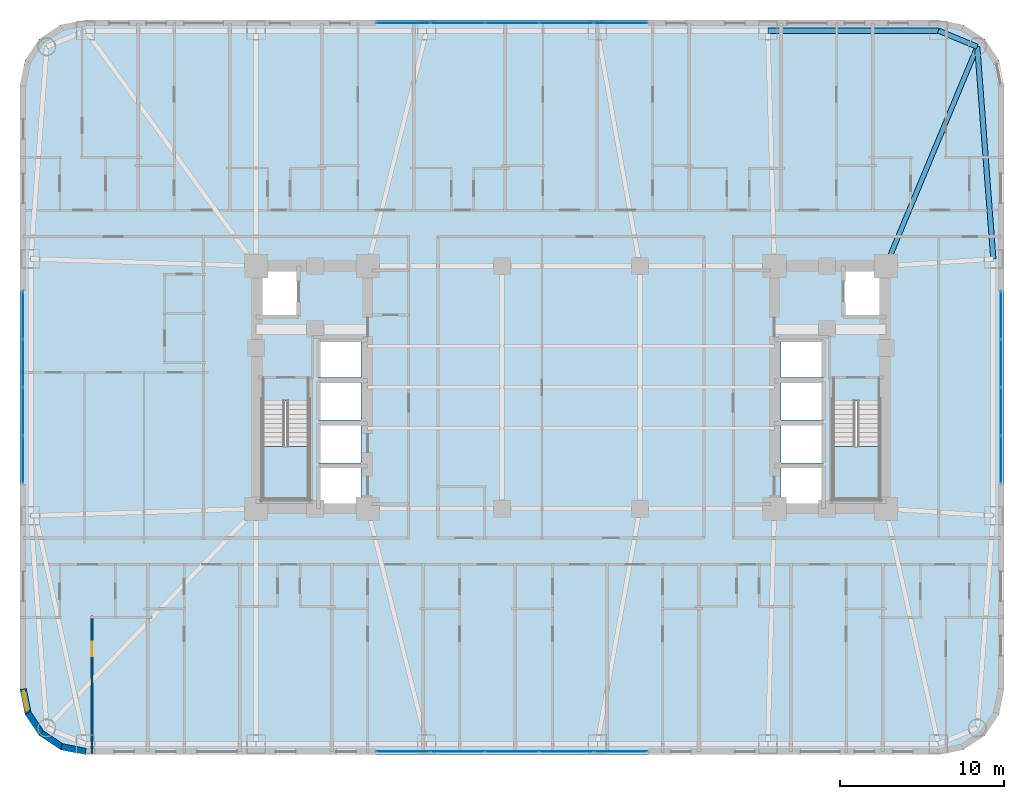
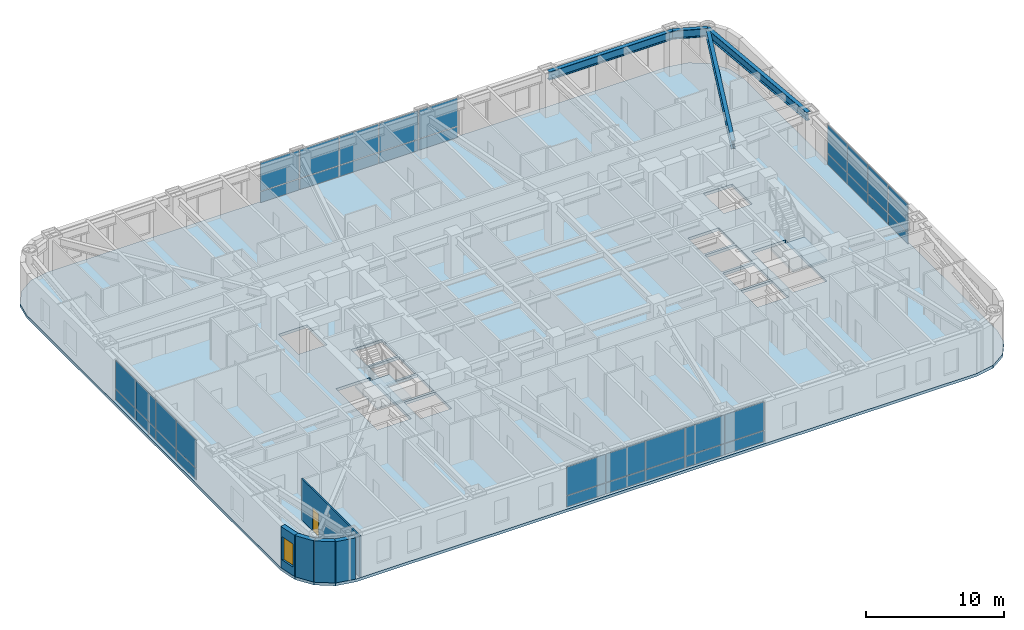
# One storey, part 19 of 28: 36 plates, 5 walls, 4 beams, 3 slabs, 1 door, 1 window, 2 openings, 6 elements without a shape of their own.
"""IFC4 building model written with IfcOpenShell, lengths in metres."""

from ifc_helpers import new_model, si_unit, direction, frame, frame_2d, origin, origin_2d, place, context, subcontext, project, spatial, polyline, rectangle, i_section, outline, extrude, material, layer, layer_set, material_profile, profile_set, type_object, element, fill, aggregate, save


model = new_model("IFC4")

# Units and contexts
model_context = context("Model", 3, precision=1e-05, world=origin(), true_north=direction((0.0, 1.0)))
body_context = subcontext(model_context, "Body", "Model", "MODEL_VIEW")
ifc_project = project(units=[si_unit("LENGTHUNIT", "METRE"), si_unit("AREAUNIT", "SQUARE_METRE"), si_unit("VOLUMEUNIT", "CUBIC_METRE"), si_unit("PLANEANGLEUNIT", "RADIAN"), si_unit("MASSUNIT", "GRAM", prefix="KILO")], contexts=[model_context])

# Site, building, storey
site_placement = place(None, origin())
site = spatial("IfcSite", under=ifc_project, at=site_placement, CompositionType="ELEMENT")
building_placement = place(site_placement, origin())
building = spatial("IfcBuilding", under=site, at=building_placement, Name="Voryun Gate Residences", CompositionType="ELEMENT")
storey_placement = place(building_placement, frame((0.0, 0.0, 61.10009765625)))
storey = spatial("IfcBuildingStorey", under=building, at=storey_placement, Name="L14", CompositionType="ELEMENT", Elevation=61.10009765625)

# Beams
ifc_material_1 = material(Name="Steel SM355", Category="steel")
ifc_material_profile_1 = material_profile(ifc_material_1, i_section(OverallWidth=0.320068359375, OverallDepth=0.75, WebThickness=0.01611328125, FlangeThickness=0.028076171875, FilletRadius=0.01806640625, at=origin_2d()), Name="H-750x320x16x28")
ifc_profile_set_1 = profile_set([ifc_material_profile_1], Name="Steel SM355")
beam_type_1 = type_object("IfcBeamType", Name="BM_EXO_SPANDREL_L", PredefinedType="SPANDREL", material=ifc_profile_set_1)
beam_1_placement = place(storey_placement, frame((25.75, 7.830078125, 3.27490234375), z_axis=(-0.075617360159, 0.997136908776, 0.0), x_axis=(-0.997136908776, -0.075617360159, 0.0)))
element("IfcBeam", 1, at=beam_1_placement, inside=storey, type_object=beam_type_1, Name="BM-L14-SPAND-09", PredefinedType="SPANDREL", context=body_context, shape_type="SweptSolid", body=[
    extrude(i_section(OverallWidth=0.320068359375, OverallDepth=0.75, WebThickness=0.01611328125, FlangeThickness=0.028076171875, FilletRadius=0.01806640625, at=origin_2d()), origin(), (0.0, 0.0, 1.0), 12.975830078125),
])
beam_2_placement = place(storey_placement, frame((24.768798828125, 20.768798828125, 3.27490234375), z_axis=(-0.923883376753, 0.382674151414, 0.0), x_axis=(-0.382674151414, -0.923883376753, 0.0)))
element("IfcBeam", 2, at=beam_2_placement, inside=storey, type_object=beam_type_1, Name="BM-L14-SPAND-10", PredefinedType="SPANDREL", context=body_context, shape_type="SweptSolid", body=[
    extrude(i_section(OverallWidth=0.320068359375, OverallDepth=0.75, WebThickness=0.01611328125, FlangeThickness=0.028076171875, FilletRadius=0.01806640625, at=origin_2d()), origin(), (0.0, 0.0, 1.0), 2.56396484375),
])
beam_3_placement = place(storey_placement, frame((22.39990234375, 21.75, 3.27490234375), z_axis=(-1.0, 0.0, 0.0), x_axis=(0.0, -1.0, 0.0)))
element("IfcBeam", 3, at=beam_3_placement, inside=storey, type_object=beam_type_1, Name="BM-L14-SPAND-11", PredefinedType="SPANDREL", context=body_context, shape_type="SweptSolid", body=[
    extrude(i_section(OverallWidth=0.320068359375, OverallDepth=0.75, WebThickness=0.01611328125, FlangeThickness=0.028076171875, FilletRadius=0.01806640625, at=origin_2d()), origin(), (0.0, 0.0, 1.0), 10.39990234375),
])
ifc_material_2 = material(Name="Steel SM355", Category="steel")
ifc_material_profile_2 = material_profile(ifc_material_2, i_section(OverallWidth=0.300048828125, OverallDepth=0.699951171875, WebThickness=0.012939453125, FlangeThickness=0.02392578125, FilletRadius=0.01806640625, at=origin_2d()), Name="H-700x300x13x24")
ifc_profile_set_2 = profile_set([ifc_material_profile_2], Name="Steel SM355")
beam_type_2 = type_object("IfcBeamType", Name="BM_GIRD_700", PredefinedType="USERDEFINED", material=ifc_profile_set_2)
beam_4_placement = place(storey_placement, frame((19.199951171875, 7.39990234375, 3.2998046875), z_axis=(0.384525607719, 0.923114324993, 0.0), x_axis=(-0.923114324993, 0.384525607719, 0.0)))
element("IfcBeam", 4, at=beam_4_placement, inside=storey, type_object=beam_type_2, Name="BM-L14-RAD-CNE", ObjectType="GIRDER", PredefinedType="USERDEFINED", context=body_context, shape_type="SweptSolid", body=[
    extrude(i_section(OverallWidth=0.300048828125, OverallDepth=0.699951171875, WebThickness=0.012939453125, FlangeThickness=0.02392578125, FilletRadius=0.01806640625, at=origin_2d()), origin(), (0.0, 0.0, 1.0), 14.482421875),
])

# Curtain wall, plates
ifc_material_3 = material(Name="Anodised aluminium", Category="aluminium")
ifc_layer_1 = layer(ifc_material_3, 0.179931640625, Name="CW_SYS_RES_A_DARK_GLASS")
ifc_layer_set_1 = layer_set([ifc_layer_1], Name="Anodised aluminium")
curtain_wall_type = type_object("IfcCurtainWallType", Name="CW_SYS_RES_A_DARK_GLASS", PredefinedType="NOTDEFINED", material=ifc_layer_set_1)
curtain_wall_1_placement = place(storey_placement, origin())
curtain_wall_1 = element("IfcCurtainWall", 5, at=curtain_wall_1_placement, inside=storey, type_object=curtain_wall_type, Name="Curtain wall CWT-L14-01", PredefinedType="NOTDEFINED")
ifc_material_4 = material(Name="Laminated low-E glass", Category="glass")
ifc_layer_2 = layer(ifc_material_4, 0.0439453125, Name="PLT_GLASS_DARK_RES")
ifc_layer_set_2 = layer_set([ifc_layer_2], Name="Laminated low-E glass")
plate_type = type_object("IfcPlateType", Name="PLT_GLASS_DARK_RES", PredefinedType="CURTAIN_PANEL", material=ifc_layer_set_2)
plate_1_placement = place(storey_placement, frame((3.0361328125, -22.2099609375, 0.059814453125), z_axis=(0.0, 0.0, 1.0), x_axis=(-1.0, 0.0, 0.0)))
plate_1 = element("IfcPlate", 6, at=plate_1_placement, type_object=plate_type, Name="CW3 panel 1.1", PredefinedType="CURTAIN_PANEL", context=body_context, shape_type="SweptSolid", body=[
    extrude(rectangle(XDim=3.235595703125, YDim=0.028076171875, at=origin_2d()), origin(), (0.0, 0.0, 1.0), 0.9599609375),
])
plate_2_placement = place(storey_placement, frame((3.0361328125, -22.2099609375, 1.080078125), z_axis=(0.0, 0.0, 1.0), x_axis=(-1.0, 0.0, 0.0)))
plate_2 = element("IfcPlate", 7, at=plate_2_placement, type_object=plate_type, Name="CW3 panel 1.2", PredefinedType="CURTAIN_PANEL", context=body_context, shape_type="SweptSolid", body=[
    extrude(rectangle(XDim=3.235595703125, YDim=0.028076171875, at=origin_2d()), origin(), (0.0, 0.0, 1.0), 2.510009765625),
])
plate_3_placement = place(storey_placement, frame((-0.2744140625, -22.2099609375, 0.059814453125), z_axis=(0.0, 0.0, 1.0), x_axis=(-1.0, 0.0, 0.0)))
plate_3 = element("IfcPlate", 8, at=plate_3_placement, type_object=plate_type, Name="CW3 panel 2.1", PredefinedType="CURTAIN_PANEL", context=body_context, shape_type="SweptSolid", body=[
    extrude(rectangle(XDim=3.265625, YDim=0.028076171875, at=origin_2d()), origin(), (0.0, 0.0, 1.0), 0.9599609375),
])
plate_4_placement = place(storey_placement, frame((-0.2744140625, -22.2099609375, 1.080078125), z_axis=(0.0, 0.0, 1.0), x_axis=(-1.0, 0.0, 0.0)))
plate_4 = element("IfcPlate", 9, at=plate_4_placement, type_object=plate_type, Name="CW3 panel 2.2", PredefinedType="CURTAIN_PANEL", context=body_context, shape_type="SweptSolid", body=[
    extrude(rectangle(XDim=3.265625, YDim=0.028076171875, at=origin_2d()), origin(), (0.0, 0.0, 1.0), 2.510009765625),
])
plate_5_placement = place(storey_placement, frame((-3.60009765625, -22.2099609375, 0.059814453125), z_axis=(0.0, 0.0, 1.0), x_axis=(-1.0, 0.0, 0.0)))
plate_5 = element("IfcPlate", 10, at=plate_5_placement, type_object=plate_type, Name="CW3 panel 3.1", PredefinedType="CURTAIN_PANEL", context=body_context, shape_type="SweptSolid", body=[
    extrude(rectangle(XDim=3.265625, YDim=0.028076171875, at=origin_2d()), origin(), (0.0, 0.0, 1.0), 0.9599609375),
])
plate_6_placement = place(storey_placement, frame((-3.60009765625, -22.2099609375, 1.080078125), z_axis=(0.0, 0.0, 1.0), x_axis=(-1.0, 0.0, 0.0)))
plate_6 = element("IfcPlate", 11, at=plate_6_placement, type_object=plate_type, Name="CW3 panel 3.2", PredefinedType="CURTAIN_PANEL", context=body_context, shape_type="SweptSolid", body=[
    extrude(rectangle(XDim=3.265625, YDim=0.028076171875, at=origin_2d()), origin(), (0.0, 0.0, 1.0), 2.510009765625),
])
plate_7_placement = place(storey_placement, frame((-6.925537109375, -22.2099609375, 0.059814453125), z_axis=(0.0, 0.0, 1.0), x_axis=(-1.0, 0.0, 0.0)))
plate_7 = element("IfcPlate", 12, at=plate_7_placement, type_object=plate_type, Name="CW3 panel 4.1", PredefinedType="CURTAIN_PANEL", context=body_context, shape_type="SweptSolid", body=[
    extrude(rectangle(XDim=3.265625, YDim=0.028076171875, at=origin_2d()), origin(), (0.0, 0.0, 1.0), 0.9599609375),
])
plate_8_placement = place(storey_placement, frame((-6.925537109375, -22.2099609375, 1.080078125), z_axis=(0.0, 0.0, 1.0), x_axis=(-1.0, 0.0, 0.0)))
plate_8 = element("IfcPlate", 13, at=plate_8_placement, type_object=plate_type, Name="CW3 panel 4.2", PredefinedType="CURTAIN_PANEL", context=body_context, shape_type="SweptSolid", body=[
    extrude(rectangle(XDim=3.265625, YDim=0.028076171875, at=origin_2d()), origin(), (0.0, 0.0, 1.0), 2.510009765625),
])
plate_9_placement = place(storey_placement, frame((-10.236083984375, -22.2099609375, 0.059814453125), z_axis=(0.0, 0.0, 1.0), x_axis=(-1.0, 0.0, 0.0)))
plate_9 = element("IfcPlate", 14, at=plate_9_placement, type_object=plate_type, Name="CW3 panel 5.1", PredefinedType="CURTAIN_PANEL", context=body_context, shape_type="SweptSolid", body=[
    extrude(rectangle(XDim=3.235595703125, YDim=0.028076171875, at=origin_2d()), origin(), (0.0, 0.0, 1.0), 0.9599609375),
])
plate_10_placement = place(storey_placement, frame((-10.236083984375, -22.2099609375, 1.080078125), z_axis=(0.0, 0.0, 1.0), x_axis=(-1.0, 0.0, 0.0)))
plate_10 = element("IfcPlate", 15, at=plate_10_placement, type_object=plate_type, Name="CW3 panel 5.2", PredefinedType="CURTAIN_PANEL", context=body_context, shape_type="SweptSolid", body=[
    extrude(rectangle(XDim=3.235595703125, YDim=0.028076171875, at=origin_2d()), origin(), (0.0, 0.0, 1.0), 2.510009765625),
])
aggregate(curtain_wall_1, [plate_1, plate_2, plate_3, plate_4, plate_5, plate_6, plate_7, plate_8, plate_9, plate_10])

curtain_wall_2_placement = place(storey_placement, origin())
curtain_wall_2 = element("IfcCurtainWall", 16, at=curtain_wall_2_placement, inside=storey, type_object=curtain_wall_type, Name="Curtain wall CWT-L14-06", PredefinedType="NOTDEFINED")
plate_11_placement = place(storey_placement, frame((-33.409912109375, -4.396484375, 0.059814453125), z_axis=(0.0, 0.0, 1.0), x_axis=(0.0, 1.0, 0.0)))
plate_11 = element("IfcPlate", 17, at=plate_11_placement, type_object=plate_type, Name="CW3 panel 1.1", PredefinedType="CURTAIN_PANEL", context=body_context, shape_type="SweptSolid", body=[
    extrude(rectangle(XDim=2.85107421875, YDim=0.028076171875, at=origin_2d()), origin(), (0.0, 0.0, 1.0), 0.9599609375),
])
plate_12_placement = place(storey_placement, frame((-33.409912109375, -4.396484375, 1.080078125), z_axis=(0.0, 0.0, 1.0), x_axis=(0.0, 1.0, 0.0)))
plate_12 = element("IfcPlate", 18, at=plate_12_placement, type_object=plate_type, Name="CW3 panel 1.2", PredefinedType="CURTAIN_PANEL", context=body_context, shape_type="SweptSolid", body=[
    extrude(rectangle(XDim=2.85107421875, YDim=0.028076171875, at=origin_2d()), origin(), (0.0, 0.0, 1.0), 2.510009765625),
])
plate_13_placement = place(storey_placement, frame((-33.409912109375, -1.470458984375, 0.059814453125), z_axis=(0.0, 0.0, 1.0), x_axis=(0.0, 1.0, 0.0)))
plate_13 = element("IfcPlate", 19, at=plate_13_placement, type_object=plate_type, Name="CW3 panel 2.1", PredefinedType="CURTAIN_PANEL", context=body_context, shape_type="SweptSolid", body=[
    extrude(rectangle(XDim=2.881103515625, YDim=0.028076171875, at=origin_2d()), origin(), (0.0, 0.0, 1.0), 0.9599609375),
])
plate_14_placement = place(storey_placement, frame((-33.409912109375, -1.470458984375, 1.080078125), z_axis=(0.0, 0.0, 1.0), x_axis=(0.0, 1.0, 0.0)))
plate_14 = element("IfcPlate", 20, at=plate_14_placement, type_object=plate_type, Name="CW3 panel 2.2", PredefinedType="CURTAIN_PANEL", context=body_context, shape_type="SweptSolid", body=[
    extrude(rectangle(XDim=2.881103515625, YDim=0.028076171875, at=origin_2d()), origin(), (0.0, 0.0, 1.0), 2.510009765625),
])
plate_15_placement = place(storey_placement, frame((-33.409912109375, 1.470458984375, 0.059814453125), z_axis=(0.0, 0.0, 1.0), x_axis=(0.0, 1.0, 0.0)))
plate_15 = element("IfcPlate", 21, at=plate_15_placement, type_object=plate_type, Name="CW3 panel 3.1", PredefinedType="CURTAIN_PANEL", context=body_context, shape_type="SweptSolid", body=[
    extrude(rectangle(XDim=2.881103515625, YDim=0.028076171875, at=origin_2d()), origin(), (0.0, 0.0, 1.0), 0.9599609375),
])
plate_16_placement = place(storey_placement, frame((-33.409912109375, 1.470458984375, 1.080078125), z_axis=(0.0, 0.0, 1.0), x_axis=(0.0, 1.0, 0.0)))
plate_16 = element("IfcPlate", 22, at=plate_16_placement, type_object=plate_type, Name="CW3 panel 3.2", PredefinedType="CURTAIN_PANEL", context=body_context, shape_type="SweptSolid", body=[
    extrude(rectangle(XDim=2.881103515625, YDim=0.028076171875, at=origin_2d()), origin(), (0.0, 0.0, 1.0), 2.510009765625),
])
plate_17_placement = place(storey_placement, frame((-33.409912109375, 4.396484375, 0.059814453125), z_axis=(0.0, 0.0, 1.0), x_axis=(0.0, 1.0, 0.0)))
plate_17 = element("IfcPlate", 23, at=plate_17_placement, type_object=plate_type, Name="CW3 panel 4.1", PredefinedType="CURTAIN_PANEL", context=body_context, shape_type="SweptSolid", body=[
    extrude(rectangle(XDim=2.85107421875, YDim=0.028076171875, at=origin_2d()), origin(), (0.0, 0.0, 1.0), 0.9599609375),
])
plate_18_placement = place(storey_placement, frame((-33.409912109375, 4.396484375, 1.080078125), z_axis=(0.0, 0.0, 1.0), x_axis=(0.0, 1.0, 0.0)))
plate_18 = element("IfcPlate", 24, at=plate_18_placement, type_object=plate_type, Name="CW3 panel 4.2", PredefinedType="CURTAIN_PANEL", context=body_context, shape_type="SweptSolid", body=[
    extrude(rectangle(XDim=2.85107421875, YDim=0.028076171875, at=origin_2d()), origin(), (0.0, 0.0, 1.0), 2.510009765625),
])
aggregate(curtain_wall_2, [plate_11, plate_12, plate_13, plate_14, plate_15, plate_16, plate_17, plate_18])

curtain_wall_3_placement = place(storey_placement, origin())
curtain_wall_3 = element("IfcCurtainWall", 25, at=curtain_wall_3_placement, inside=storey, type_object=curtain_wall_type, Name="Curtain wall CWT-L14-11", PredefinedType="NOTDEFINED")
plate_19_placement = place(storey_placement, frame((-10.236083984375, 22.2099609375, 0.059814453125), z_axis=(0.0, 0.0, 1.0), x_axis=(1.0, 0.0, 0.0)))
plate_19 = element("IfcPlate", 26, at=plate_19_placement, type_object=plate_type, Name="CW3 panel 1.1", PredefinedType="CURTAIN_PANEL", context=body_context, shape_type="SweptSolid", body=[
    extrude(rectangle(XDim=3.235595703125, YDim=0.028076171875, at=origin_2d()), origin(), (0.0, 0.0, 1.0), 0.9599609375),
])
plate_20_placement = place(storey_placement, frame((-10.236083984375, 22.2099609375, 1.080078125), z_axis=(0.0, 0.0, 1.0), x_axis=(1.0, 0.0, 0.0)))
plate_20 = element("IfcPlate", 27, at=plate_20_placement, type_object=plate_type, Name="CW3 panel 1.2", PredefinedType="CURTAIN_PANEL", context=body_context, shape_type="SweptSolid", body=[
    extrude(rectangle(XDim=3.235595703125, YDim=0.028076171875, at=origin_2d()), origin(), (0.0, 0.0, 1.0), 2.510009765625),
])
plate_21_placement = place(storey_placement, frame((-6.925537109375, 22.2099609375, 0.059814453125), z_axis=(0.0, 0.0, 1.0), x_axis=(1.0, 0.0, 0.0)))
plate_21 = element("IfcPlate", 28, at=plate_21_placement, type_object=plate_type, Name="CW3 panel 2.1", PredefinedType="CURTAIN_PANEL", context=body_context, shape_type="SweptSolid", body=[
    extrude(rectangle(XDim=3.265625, YDim=0.028076171875, at=origin_2d()), origin(), (0.0, 0.0, 1.0), 0.9599609375),
])
plate_22_placement = place(storey_placement, frame((-6.925537109375, 22.2099609375, 1.080078125), z_axis=(0.0, 0.0, 1.0), x_axis=(1.0, 0.0, 0.0)))
plate_22 = element("IfcPlate", 29, at=plate_22_placement, type_object=plate_type, Name="CW3 panel 2.2", PredefinedType="CURTAIN_PANEL", context=body_context, shape_type="SweptSolid", body=[
    extrude(rectangle(XDim=3.265625, YDim=0.028076171875, at=origin_2d()), origin(), (0.0, 0.0, 1.0), 2.510009765625),
])
plate_23_placement = place(storey_placement, frame((-3.60009765625, 22.2099609375, 0.059814453125), z_axis=(0.0, 0.0, 1.0), x_axis=(1.0, 0.0, 0.0)))
plate_23 = element("IfcPlate", 30, at=plate_23_placement, type_object=plate_type, Name="CW3 panel 3.1", PredefinedType="CURTAIN_PANEL", context=body_context, shape_type="SweptSolid", body=[
    extrude(rectangle(XDim=3.265625, YDim=0.028076171875, at=origin_2d()), origin(), (0.0, 0.0, 1.0), 0.9599609375),
])
plate_24_placement = place(storey_placement, frame((-3.60009765625, 22.2099609375, 1.080078125), z_axis=(0.0, 0.0, 1.0), x_axis=(1.0, 0.0, 0.0)))
plate_24 = element("IfcPlate", 31, at=plate_24_placement, type_object=plate_type, Name="CW3 panel 3.2", PredefinedType="CURTAIN_PANEL", context=body_context, shape_type="SweptSolid", body=[
    extrude(rectangle(XDim=3.265625, YDim=0.028076171875, at=origin_2d()), origin(), (0.0, 0.0, 1.0), 2.510009765625),
])
plate_25_placement = place(storey_placement, frame((-0.2744140625, 22.2099609375, 0.059814453125), z_axis=(0.0, 0.0, 1.0), x_axis=(1.0, 0.0, 0.0)))
plate_25 = element("IfcPlate", 32, at=plate_25_placement, type_object=plate_type, Name="CW3 panel 4.1", PredefinedType="CURTAIN_PANEL", context=body_context, shape_type="SweptSolid", body=[
    extrude(rectangle(XDim=3.265625, YDim=0.028076171875, at=origin_2d()), origin(), (0.0, 0.0, 1.0), 0.9599609375),
])
plate_26_placement = place(storey_placement, frame((-0.2744140625, 22.2099609375, 1.080078125), z_axis=(0.0, 0.0, 1.0), x_axis=(1.0, 0.0, 0.0)))
plate_26 = element("IfcPlate", 33, at=plate_26_placement, type_object=plate_type, Name="CW3 panel 4.2", PredefinedType="CURTAIN_PANEL", context=body_context, shape_type="SweptSolid", body=[
    extrude(rectangle(XDim=3.265625, YDim=0.028076171875, at=origin_2d()), origin(), (0.0, 0.0, 1.0), 2.510009765625),
])
plate_27_placement = place(storey_placement, frame((3.0361328125, 22.2099609375, 0.059814453125), z_axis=(0.0, 0.0, 1.0), x_axis=(1.0, 0.0, 0.0)))
plate_27 = element("IfcPlate", 34, at=plate_27_placement, type_object=plate_type, Name="CW3 panel 5.1", PredefinedType="CURTAIN_PANEL", context=body_context, shape_type="SweptSolid", body=[
    extrude(rectangle(XDim=3.235595703125, YDim=0.028076171875, at=origin_2d()), origin(), (0.0, 0.0, 1.0), 0.9599609375),
])
plate_28_placement = place(storey_placement, frame((3.0361328125, 22.2099609375, 1.080078125), z_axis=(0.0, 0.0, 1.0), x_axis=(1.0, 0.0, 0.0)))
plate_28 = element("IfcPlate", 35, at=plate_28_placement, type_object=plate_type, Name="CW3 panel 5.2", PredefinedType="CURTAIN_PANEL", context=body_context, shape_type="SweptSolid", body=[
    extrude(rectangle(XDim=3.235595703125, YDim=0.028076171875, at=origin_2d()), origin(), (0.0, 0.0, 1.0), 2.510009765625),
])
aggregate(curtain_wall_3, [plate_19, plate_20, plate_21, plate_22, plate_23, plate_24, plate_25, plate_26, plate_27, plate_28])

curtain_wall_4_placement = place(storey_placement, origin())
curtain_wall_4 = element("IfcCurtainWall", 36, at=curtain_wall_4_placement, inside=storey, type_object=curtain_wall_type, Name="Curtain wall CWT-L14-16", PredefinedType="NOTDEFINED")
plate_29_placement = place(storey_placement, frame((26.2099609375, 4.396484375, 0.059814453125), z_axis=(0.0, 0.0, 1.0), x_axis=(0.0, -1.0, 0.0)))
plate_29 = element("IfcPlate", 37, at=plate_29_placement, type_object=plate_type, Name="CW3 panel 1.1", PredefinedType="CURTAIN_PANEL", context=body_context, shape_type="SweptSolid", body=[
    extrude(rectangle(XDim=2.85107421875, YDim=0.028076171875, at=origin_2d()), origin(), (0.0, 0.0, 1.0), 0.9599609375),
])
plate_30_placement = place(storey_placement, frame((26.2099609375, 4.396484375, 1.080078125), z_axis=(0.0, 0.0, 1.0), x_axis=(0.0, -1.0, 0.0)))
plate_30 = element("IfcPlate", 38, at=plate_30_placement, type_object=plate_type, Name="CW3 panel 1.2", PredefinedType="CURTAIN_PANEL", context=body_context, shape_type="SweptSolid", body=[
    extrude(rectangle(XDim=2.85107421875, YDim=0.028076171875, at=origin_2d()), origin(), (0.0, 0.0, 1.0), 2.510009765625),
])
plate_31_placement = place(storey_placement, frame((26.2099609375, 1.470458984375, 0.059814453125), z_axis=(0.0, 0.0, 1.0), x_axis=(0.0, -1.0, 0.0)))
plate_31 = element("IfcPlate", 39, at=plate_31_placement, type_object=plate_type, Name="CW3 panel 2.1", PredefinedType="CURTAIN_PANEL", context=body_context, shape_type="SweptSolid", body=[
    extrude(rectangle(XDim=2.881103515625, YDim=0.028076171875, at=origin_2d()), origin(), (0.0, 0.0, 1.0), 0.9599609375),
])
plate_32_placement = place(storey_placement, frame((26.2099609375, 1.470458984375, 1.080078125), z_axis=(0.0, 0.0, 1.0), x_axis=(0.0, -1.0, 0.0)))
plate_32 = element("IfcPlate", 40, at=plate_32_placement, type_object=plate_type, Name="CW3 panel 2.2", PredefinedType="CURTAIN_PANEL", context=body_context, shape_type="SweptSolid", body=[
    extrude(rectangle(XDim=2.881103515625, YDim=0.028076171875, at=origin_2d()), origin(), (0.0, 0.0, 1.0), 2.510009765625),
])
plate_33_placement = place(storey_placement, frame((26.2099609375, -1.470458984375, 0.059814453125), z_axis=(0.0, 0.0, 1.0), x_axis=(0.0, -1.0, 0.0)))
plate_33 = element("IfcPlate", 41, at=plate_33_placement, type_object=plate_type, Name="CW3 panel 3.1", PredefinedType="CURTAIN_PANEL", context=body_context, shape_type="SweptSolid", body=[
    extrude(rectangle(XDim=2.881103515625, YDim=0.028076171875, at=origin_2d()), origin(), (0.0, 0.0, 1.0), 0.9599609375),
])
plate_34_placement = place(storey_placement, frame((26.2099609375, -1.470458984375, 1.080078125), z_axis=(0.0, 0.0, 1.0), x_axis=(0.0, -1.0, 0.0)))
plate_34 = element("IfcPlate", 42, at=plate_34_placement, type_object=plate_type, Name="CW3 panel 3.2", PredefinedType="CURTAIN_PANEL", context=body_context, shape_type="SweptSolid", body=[
    extrude(rectangle(XDim=2.881103515625, YDim=0.028076171875, at=origin_2d()), origin(), (0.0, 0.0, 1.0), 2.510009765625),
])
plate_35_placement = place(storey_placement, frame((26.2099609375, -4.396484375, 0.059814453125), z_axis=(0.0, 0.0, 1.0), x_axis=(0.0, -1.0, 0.0)))
plate_35 = element("IfcPlate", 43, at=plate_35_placement, type_object=plate_type, Name="CW3 panel 4.1", PredefinedType="CURTAIN_PANEL", context=body_context, shape_type="SweptSolid", body=[
    extrude(rectangle(XDim=2.85107421875, YDim=0.028076171875, at=origin_2d()), origin(), (0.0, 0.0, 1.0), 0.9599609375),
])
plate_36_placement = place(storey_placement, frame((26.2099609375, -4.396484375, 1.080078125), z_axis=(0.0, 0.0, 1.0), x_axis=(0.0, -1.0, 0.0)))
plate_36 = element("IfcPlate", 44, at=plate_36_placement, type_object=plate_type, Name="CW3 panel 4.2", PredefinedType="CURTAIN_PANEL", context=body_context, shape_type="SweptSolid", body=[
    extrude(rectangle(XDim=2.85107421875, YDim=0.028076171875, at=origin_2d()), origin(), (0.0, 0.0, 1.0), 2.510009765625),
])
aggregate(curtain_wall_4, [plate_29, plate_30, plate_31, plate_32, plate_33, plate_34, plate_35, plate_36])

# Slab
ifc_material_5 = material(Name="Concrete C40/50", Category="concrete")
ifc_layer_3 = layer(ifc_material_5, 0.25, Name="SLB_RES_250")
ifc_layer_set_3 = layer_set([ifc_layer_3], Name="Concrete C40/50")
slab_type_1 = type_object("IfcSlabType", Name="SLB_RES_250", PredefinedType="FLOOR", material=ifc_layer_set_3)
slab_1_placement = place(storey_placement, frame((0.0, 0.0, -0.25)))
element("IfcSlab", 45, at=slab_1_placement, inside=storey, type_object=slab_type_1, Name="L14 Structural Floor Slab", PredefinedType="FLOOR", context=body_context, shape_type="SweptSolid", body=[
    extrude(outline(polyline([(-29.60009765625, -22.39990234375), (-31.130615234375, -22.095458984375), (-32.428466796875, -21.228515625), (-33.29541015625, -19.9306640625), (-33.60009765625, -18.39990234375), (-33.60009765625, 18.39990234375), (-33.29541015625, 19.9306640625), (-32.428466796875, 21.228515625), (-31.130615234375, 22.095458984375), (-29.60009765625, 22.39990234375), (22.39990234375, 22.39990234375), (23.9306640625, 22.095458984375), (25.228515625, 21.228515625), (26.095458984375, 19.9306640625), (26.39990234375, 18.39990234375), (26.39990234375, -18.39990234375), (26.095458984375, -19.9306640625), (25.228515625, -21.228515625), (23.9306640625, -22.095458984375), (22.39990234375, -22.39990234375), (-29.60009765625, -22.39990234375)]), holes=[polyline([(-12.800048828125, -4.800048828125), (-15.39990234375, -4.800048828125), (-15.39990234375, -7.199951171875), (-12.800048828125, -7.199951171875), (-12.800048828125, -4.800048828125)]), polyline([(-18.824951171875, -6.85009765625), (-15.97509765625, -6.85009765625), (-15.97509765625, -0.840087890625), (-18.824951171875, -0.840087890625), (-18.824951171875, -6.85009765625)]), polyline([(-12.800048828125, -4.60009765625), (-12.800048828125, -2.199951171875), (-15.39990234375, -2.199951171875), (-15.39990234375, -4.60009765625), (-12.800048828125, -4.60009765625)]), polyline([(-12.800048828125, 0.39990234375), (-15.39990234375, 0.39990234375), (-15.39990234375, -2.0), (-12.800048828125, -2.0), (-12.800048828125, 0.39990234375)]), polyline([(-12.800048828125, 0.60009765625), (-12.800048828125, 2.89990234375), (-15.39990234375, 2.89990234375), (-15.39990234375, 0.60009765625), (-12.800048828125, 0.60009765625)]), polyline([(-16.60009765625, 4.300048828125), (-16.60009765625, 7.199951171875), (-19.0, 7.199951171875), (-19.0, 4.300048828125), (-16.60009765625, 4.300048828125)]), polyline([(15.39990234375, -4.800048828125), (12.800048828125, -4.800048828125), (12.800048828125, -7.199951171875), (15.39990234375, -7.199951171875), (15.39990234375, -4.800048828125)]), polyline([(15.97509765625, -6.85009765625), (18.824951171875, -6.85009765625), (18.824951171875, -0.840087890625), (15.97509765625, -0.840087890625), (15.97509765625, -6.85009765625)]), polyline([(15.39990234375, -4.60009765625), (15.39990234375, -2.199951171875), (12.800048828125, -2.199951171875), (12.800048828125, -4.60009765625), (15.39990234375, -4.60009765625)]), polyline([(15.39990234375, 0.39990234375), (12.800048828125, 0.39990234375), (12.800048828125, -2.0), (15.39990234375, -2.0), (15.39990234375, 0.39990234375)]), polyline([(15.39990234375, 0.60009765625), (15.39990234375, 2.89990234375), (12.800048828125, 2.89990234375), (12.800048828125, 0.60009765625), (15.39990234375, 0.60009765625)]), polyline([(19.0, 4.300048828125), (19.0, 7.199951171875), (16.60009765625, 7.199951171875), (16.60009765625, 4.300048828125), (19.0, 4.300048828125)])]), origin(), (0.0, 0.0, 1.0), 0.25),
])

# Stair, slab
ifc_material_6 = material(Name="Concrete C40/50", Category="concrete")
stair_type = type_object("IfcStairType", Name="STR_CORE_DOGLEG_1350", PredefinedType="HALF_TURN_STAIR", material=ifc_material_6)
stair_1_placement = place(storey_placement, origin())
stair_1 = element("IfcStair", 46, at=stair_1_placement, inside=storey, type_object=stair_type, Name="L14 Special Escape Stair ST-W1", PredefinedType="HALF_TURN_STAIR")
ifc_material_7 = material(Name="Concrete C40/50", Category="concrete")
ifc_layer_4 = layer(ifc_material_7, 0.199951171875, Name="SLB_STAIR_LANDING_200")
ifc_layer_set_4 = layer_set([ifc_layer_4], Name="Concrete C40/50")
slab_type_2 = type_object("IfcSlabType", Name="SLB_STAIR_LANDING_200", PredefinedType="LANDING", material=ifc_layer_set_4)
slab_2_placement = place(storey_placement, frame((0.0, 0.0, 1.75)))
slab_2 = element("IfcSlab", 47, at=slab_2_placement, type_object=slab_type_2, Name="ST-W1 landing 1", PredefinedType="LANDING", context=body_context, shape_type="SweptSolid", body=[
    extrude(outline(polyline([(-18.824951171875, -3.60009765625), (-18.824951171875, -6.85009765625), (-15.97509765625, -6.85009765625), (-15.97509765625, -3.60009765625), (-18.824951171875, -3.60009765625)])), origin(), (0.0, 0.0, 1.0), 0.199951171875),
])
aggregate(stair_1, [slab_2])

stair_2_placement = place(storey_placement, origin())
stair_2 = element("IfcStair", 48, at=stair_2_placement, inside=storey, type_object=stair_type, Name="L14 Special Escape Stair ST-E1", PredefinedType="HALF_TURN_STAIR")
slab_3_placement = place(storey_placement, frame((0.0, 0.0, 1.75)))
slab_3 = element("IfcSlab", 49, at=slab_3_placement, type_object=slab_type_2, Name="ST-E1 landing 1", PredefinedType="LANDING", context=body_context, shape_type="SweptSolid", body=[
    extrude(outline(polyline([(15.97509765625, -3.60009765625), (15.97509765625, -6.85009765625), (18.824951171875, -6.85009765625), (18.824951171875, -3.60009765625), (15.97509765625, -3.60009765625)])), origin(), (0.0, 0.0, 1.0), 0.199951171875),
])
aggregate(stair_2, [slab_3])

# Walls
ifc_material_8 = material(Name="Granite masonry", Category="masonry")
ifc_layer_5 = layer(ifc_material_8, 0.3798828125, Name="W_EXT_GRANITE_380")
ifc_layer_set_5 = layer_set([ifc_layer_5], Name="Granite masonry")
wall_type_1 = type_object("IfcWallType", Name="W_EXT_GRANITE_380", PredefinedType="ELEMENTEDWALL", material=ifc_layer_set_5)
wall_1_placement = place(storey_placement, frame((-29.581298828125, -22.2099609375, 0.0), z_axis=(0.0, 0.0, 1.0), x_axis=(-0.980786132421, 0.195086038585, 0.0)))
element("IfcWall", 50, at=wall_1_placement, inside=storey, type_object=wall_type_1, Name="Exterior wall WEXT-L14-02", PredefinedType="ELEMENTEDWALL", context=body_context, shape_type="SweptSolid", body=[
    extrude(rectangle(XDim=1.504150390625, YDim=0.3798828125, at=frame_2d((0.751953125, 0.0))), origin(), (0.0, 0.0, 1.0), 3.64990234375),
])
wall_2_placement = place(storey_placement, frame((-31.056640625, -21.91650390625, 0.0), z_axis=(0.0, 0.0, 1.0), x_axis=(-0.831442848281, 0.555610286119, 0.0)))
element("IfcWall", 51, at=wall_2_placement, inside=storey, type_object=wall_type_1, Name="Exterior wall WEXT-L14-03", PredefinedType="ELEMENTEDWALL", context=body_context, shape_type="SweptSolid", body=[
    extrude(rectangle(XDim=1.485107421875, YDim=0.3798828125, at=frame_2d((0.74267578125, 0.0))), origin(), (0.0, 0.0, 1.0), 3.64990234375),
])
wall_3_placement = place(storey_placement, frame((-32.29150390625, -21.09130859375, 0.0), z_axis=(0.0, 0.0, 1.0), x_axis=(-0.555572577804, 0.831468045563, 0.0)))
element("IfcWall", 52, at=wall_3_placement, inside=storey, type_object=wall_type_1, Name="Exterior wall WEXT-L14-04", PredefinedType="ELEMENTEDWALL", context=body_context, shape_type="SweptSolid", body=[
    extrude(rectangle(XDim=1.48486328125, YDim=0.3798828125, at=frame_2d((0.742431640625, 0.0))), origin(), (0.0, 0.0, 1.0), 3.64990234375),
])

# Wall, opening, window
wall_4_placement = place(storey_placement, frame((-33.116455078125, -19.856689453125, 0.0), z_axis=(0.0, 0.0, 1.0), x_axis=(-0.195086038585, 0.980786132421, 0.0)))
wall_4 = element("IfcWall", 53, at=wall_4_placement, inside=storey, type_object=wall_type_1, Name="Exterior wall WEXT-L14-05", PredefinedType="ELEMENTEDWALL", context=body_context, shape_type="SweptSolid", body=[
    extrude(rectangle(XDim=1.504150390625, YDim=0.3798828125, at=frame_2d((0.751953125, 0.0))), origin(), (0.0, 0.0, 1.0), 3.64990234375),
])
opening_1_placement = place(wall_4_placement, frame((0.152099609375, 0.0, 0.75)))
opening_1 = element("IfcOpeningElement", 54, at=opening_1_placement, cuts=wall_4, Name="Opening WN6", PredefinedType="OPENING", context=body_context, shape_type="SweptSolid", body=[
    extrude(rectangle(XDim=1.199951171875, YDim=2.050048828125, at=frame_2d((0.60009765625, 1.02490234375))), frame((0.0, 0.199951171875, 0.0), z_axis=(0.0, -1.0, 0.0), x_axis=(1.0, 0.0, 0.0)), (0.0, 0.0, 1.0), 0.39990234375),
])
ifc_material_9 = material(Name="Laminated low-E glass", Category="glass")
window_type = type_object("IfcWindowType", Name="WN_POD_SLOT_1200", PartitioningType="SINGLE_PANEL", PredefinedType="WINDOW", material=ifc_material_9)
window_placement = place(opening_1_placement, origin())
window = element("IfcWindow", 55, at=window_placement, inside=storey, type_object=window_type, Name="Window WN-L14-DWFIX-11", OverallHeight=2.050048828125, OverallWidth=1.199951171875, PartitioningType="SINGLE_PANEL", PredefinedType="WINDOW", context=body_context, shape_type="SweptSolid", body=[
    extrude(rectangle(XDim=1.199951171875, YDim=2.050048828125, at=frame_2d((0.60009765625, 1.02490234375))), frame((0.0, 0.030029296875, 0.0), z_axis=(0.0, -1.0, 0.0), x_axis=(1.0, 0.0, 0.0)), (0.0, 0.0, 1.0), 0.06005859375),
])
fill(opening_1, window)

# Wall, opening, door
ifc_material_10 = material(Name="Gypsum acoustic partition")
ifc_layer_6 = layer(ifc_material_10, 0.125, Name="W_UNIT_PART_125")
ifc_layer_set_6 = layer_set([ifc_layer_6], Name="Gypsum acoustic partition")
wall_type_2 = type_object("IfcWallType", Name="W_UNIT_PART_125", PredefinedType="PARTITIONING", material=ifc_layer_set_6)
wall_5_placement = place(storey_placement, frame((-29.2099609375, -22.360107421875, 0.0), z_axis=(0.0, 0.0, 1.0), x_axis=(0.0, 1.0, 0.0)))
wall_5 = element("IfcWall", 56, at=wall_5_placement, inside=storey, type_object=wall_type_2, Name="Partition wall WP-L14-S1-OVR", PredefinedType="PARTITIONING", context=body_context, shape_type="SweptSolid", body=[
    extrude(rectangle(XDim=8.420166015625, YDim=0.125, at=frame_2d((4.2099609375, 0.0))), origin(), (0.0, 0.0, 1.0), 3.64990234375),
])
opening_2_placement = place(wall_5_placement, frame((5.94921875, 0.0, 0.0)))
opening_2 = element("IfcOpeningElement", 57, at=opening_2_placement, cuts=wall_5, Name="Opening D-INT-2", PredefinedType="OPENING", context=body_context, shape_type="SweptSolid", body=[
    extrude(rectangle(XDim=0.89990234375, YDim=2.050048828125, at=frame_2d((0.449951171875, 1.02490234375))), frame((0.0, 0.072509765625, 0.0), z_axis=(0.0, -1.0, 0.0), x_axis=(1.0, 0.0, 0.0)), (0.0, 0.0, 1.0), 0.14501953125),
])
ifc_material_11 = material(Name="Architectural oak veneer")
door_type = type_object("IfcDoorType", Name="DR_INT_BATH_900", OperationType="NOTDEFINED", PredefinedType="DOOR", material=ifc_material_11)
door_placement = place(opening_2_placement, origin())
door = element("IfcDoor", 58, at=door_placement, inside=storey, type_object=door_type, Name="Door DR-L14-S1-DMB", OperationType="SINGLE_SWING_RIGHT", OverallHeight=2.050048828125, OverallWidth=0.89990234375, PredefinedType="DOOR", context=body_context, shape_type="SweptSolid", body=[
    extrude(rectangle(XDim=0.89990234375, YDim=2.050048828125, at=frame_2d((0.449951171875, 1.02490234375))), frame((0.0, 0.02490234375, 0.0), z_axis=(0.0, -1.0, 0.0), x_axis=(1.0, 0.0, 0.0)), (0.0, 0.0, 1.0), 0.050048828125),
])
fill(opening_2, door)

save(model, "model.ifc")
